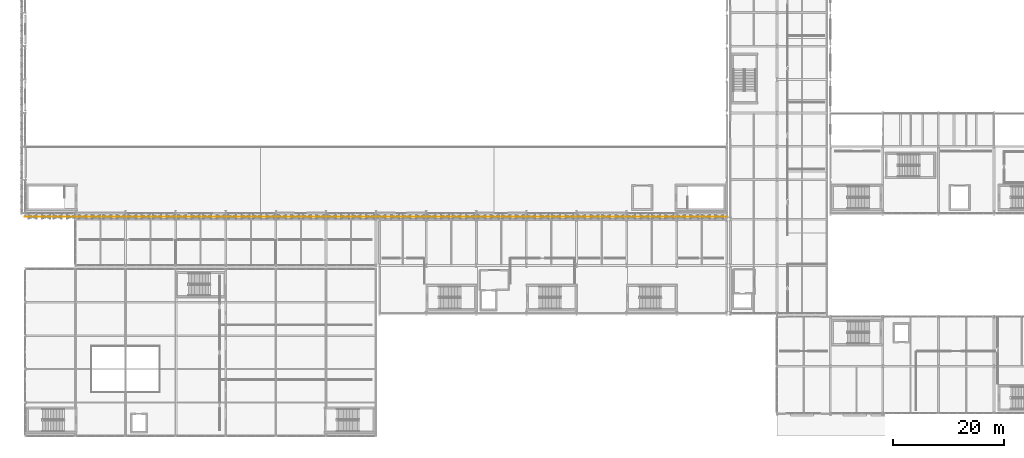
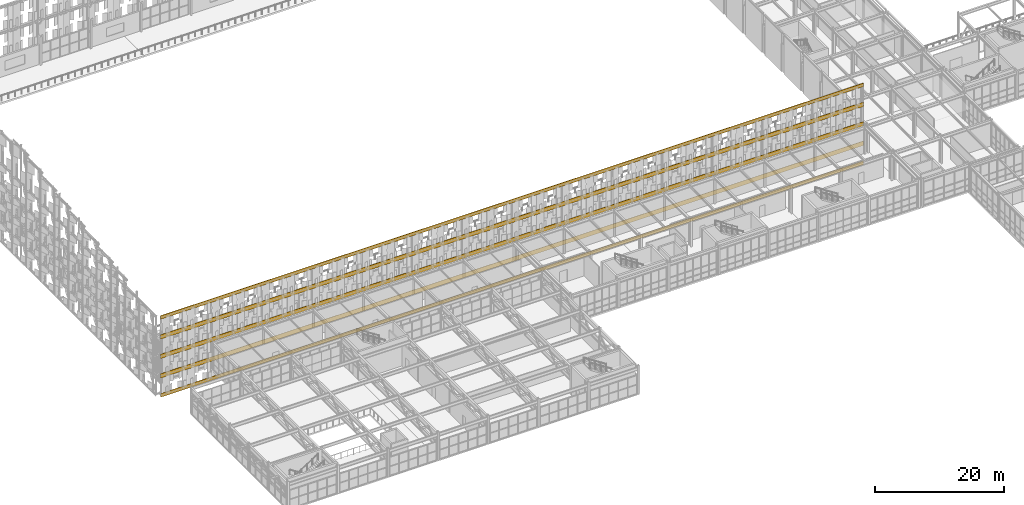
# One storey, part 182 of 210: 5 coverings.
"""IFC4 building model written with IfcOpenShell, lengths in metres."""

from ifc_helpers import new_model, si_unit, direction, frame, origin, origin_2d, place, context, subcontext, project, spatial, rectangle, extrude, material, layer, layer_set, type_object, element, save


model = new_model("IFC4")

# Units and contexts
model_context = context("Model", 3, precision=1e-05, world=origin(), true_north=direction((0.0, 1.0)))
body_context = subcontext(model_context, "Body", "Model", "MODEL_VIEW")
ifc_project = project(units=[si_unit("LENGTHUNIT", "METRE"), si_unit("AREAUNIT", "SQUARE_METRE"), si_unit("VOLUMEUNIT", "CUBIC_METRE"), si_unit("PLANEANGLEUNIT", "RADIAN"), si_unit("MASSUNIT", "GRAM", prefix="KILO")], contexts=[model_context])

# Site, building, storey
site_placement = place(None, origin())
site = spatial("IfcSite", under=ifc_project, at=site_placement, CompositionType="ELEMENT")
building_placement = place(site_placement, origin())
building = spatial("IfcBuilding", under=site, at=building_placement, Name="Kaldris Quays Convention Centre", CompositionType="ELEMENT")
storey_placement = place(building_placement, frame((0.0, 0.0, 6.0)))
storey = spatial("IfcBuildingStorey", under=building, at=storey_placement, Name="L01", CompositionType="ELEMENT", Elevation=6.0)

# Coverings
ifc_material = material(Name="Alabaster white star-pierced anodized aluminium panel", Category="aluminium")
ifc_layer = layer(ifc_material, 0.044921875)
ifc_layer_set = layer_set([ifc_layer], Name="Alabaster white star-pierced anodized aluminium panel")
covering_type = type_object("IfcCoveringType", Name="STAR PIERCED WHITE FOLDED SCREEN CL01", PredefinedType="CLADDING", material=ifc_layer_set)
covering_1_placement = place(storey_placement, frame((83.0, 55.35009765625, -2.48974609375), z_axis=(0.0, 0.0, 1.0), x_axis=(1.0, 0.0, 0.0)))
element("IfcCovering", 1, at=covering_1_placement, inside=storey, type_object=covering_type, Name="V1S White Screen Folded Band 1075", PredefinedType="CLADDING", context=body_context, shape_type="SweptSolid", body=[
    extrude(rectangle(XDim=126.239990234375, YDim=0.054931640625, at=origin_2d()), origin(), (0.0, 0.0, 1.0), 0.679931640625),
])
for number, where, z_axis, x_axis, name in (
    (2, (83.0, 55.35009765625, 1.1298828125), (0.0, 0.0, 1.0), (1.0, 0.0, 0.0), "V1S White Screen Folded Band 1076"),
    (3, (83.0, 55.35009765625, 4.830078125), (0.0, 0.0, 1.0), (1.0, 0.0, 0.0), "V1S White Screen Folded Band 1077"),
    (4, (83.0, 55.35009765625, 8.52978515625), (0.0, 0.0, 1.0), (1.0, 0.0, 0.0), "V1S White Screen Folded Band 1078"),
):
    element("IfcCovering", number, at=place(storey_placement, frame(where, z_axis=z_axis, x_axis=x_axis)), inside=storey, type_object=covering_type, Name=name, PredefinedType="CLADDING", context=body_context, shape_type="SweptSolid", body=[
        extrude(rectangle(XDim=126.239990234375, YDim=0.054931640625, at=origin_2d()), origin(), (0.0, 0.0, 1.0), 0.840087890625),
    ])
covering_2_placement = place(storey_placement, frame((83.0, 55.35009765625, 12.31005859375), z_axis=(0.0, 0.0, 1.0), x_axis=(1.0, 0.0, 0.0)))
element("IfcCovering", 5, at=covering_2_placement, inside=storey, type_object=covering_type, Name="V1S White Screen Folded Band 1079", PredefinedType="CLADDING", context=body_context, shape_type="SweptSolid", body=[
    extrude(rectangle(XDim=126.239990234375, YDim=0.054931640625, at=origin_2d()), origin(), (0.0, 0.0, 1.0), 0.679931640625),
])

save(model, "model.ifc")
